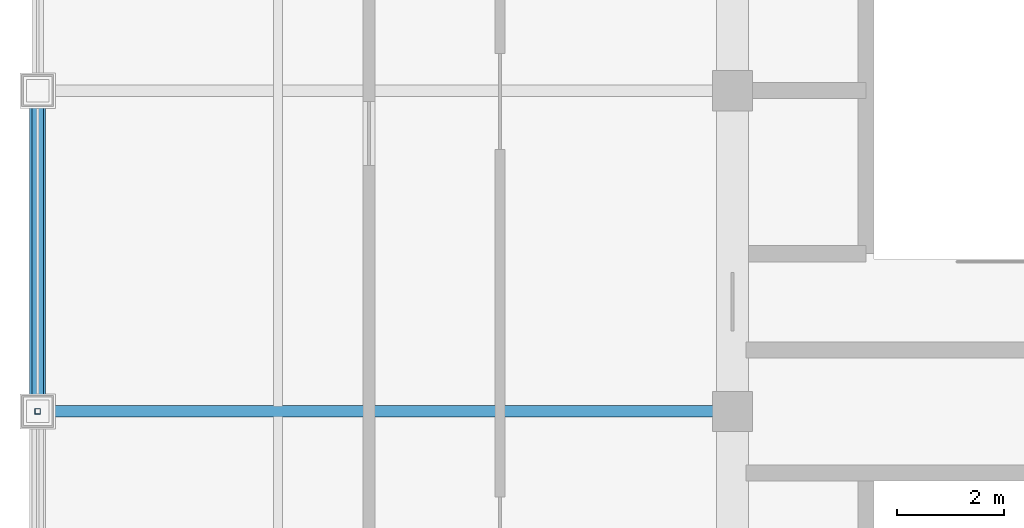
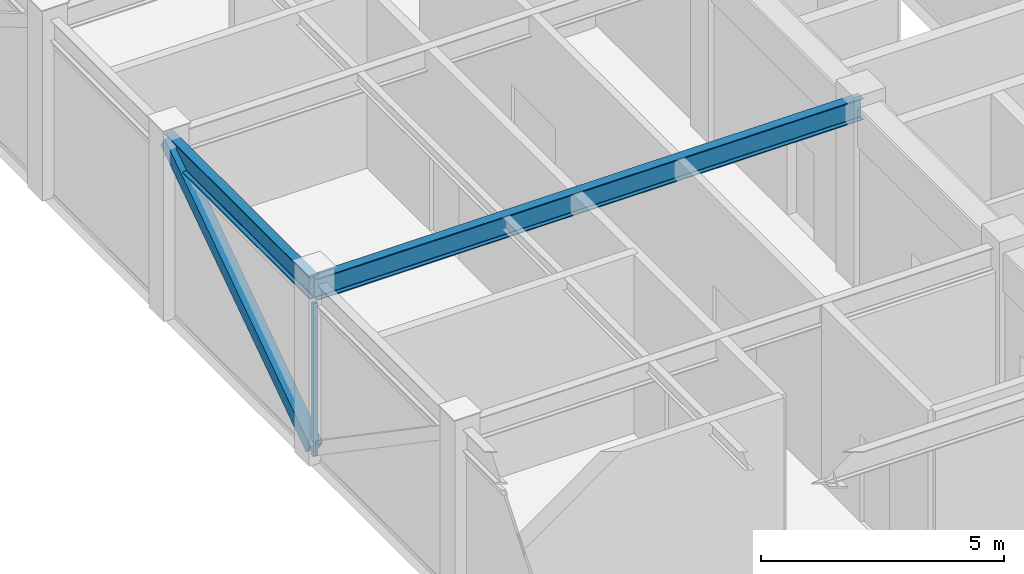
# One storey, part 6 of 27: 2 beams, 2 members, 1 element without a shape of its own.
"""IFC4 building model written with IfcOpenShell, lengths in metres."""

import ifcopenshell
import ifcopenshell.guid

model = None  # the IFC model being written
_history = None  # IfcOwnerHistory: only IFC2X3 demands one
_inside = {}  # id of a spatial element -> (the spatial element, [elements in it])
_under = {}  # id of a project, library or spatial element -> (it, [spatial elements below it])
_declared = {}  # id of a project -> (the project, [libraries it declares])
_typed = {}  # id of a type object -> (the type object, [elements of that type])
_made_of = {}  # id of a material, layer set ... -> (it, [elements and type objects made of it])


def new_model(schema):
    """Start an empty IFC model of exactly this schema.

    Asked for "IFC4X3", IfcOpenShell would pick the latest addendum, in which some entities
    have other attributes; the version numbers below select the first issue.
    IFC2X3 requires an IfcOwnerHistory on every rooted entity: one is made here for all.
    """
    global model, _history
    if schema == "IFC4X3":
        model = ifcopenshell.file(schema_version=(4, 3, 0, 0))
    else:
        model = ifcopenshell.file(schema=schema)
    _inside.clear()
    _under.clear()
    _declared.clear()
    _typed.clear()
    _made_of.clear()
    _history = None
    if model.schema == "IFC2X3":
        org = make("IfcOrganization", Name="unknown")
        user = make(
            "IfcPersonAndOrganization",
            ThePerson=make("IfcPerson", FamilyName="unknown"),
            TheOrganization=org,
        )
        app = make(
            "IfcApplication",
            ApplicationDeveloper=org,
            Version="unknown",
            ApplicationFullName="unknown",
            ApplicationIdentifier="unknown",
        )
        _history = make(
            "IfcOwnerHistory",
            OwningUser=user,
            OwningApplication=app,
            ChangeAction="ADDED",
            CreationDate=0,
        )
    return model


def make(cls, **values):
    """One entity of the class cls with the attributes given. An attribute that is None is left unset."""
    return model.create_entity(
        cls, **{name: value for name, value in values.items() if value is not None}
    )


def rooted(cls, **values):
    """An entity with a GlobalId (a new one), such as an element, a storey or a relation."""
    return make(cls, GlobalId=ifcopenshell.guid.new(), OwnerHistory=_history, **values)


def si_unit(unit_type, name, prefix=None):
    """IfcSIUnit, for example si_unit("LENGTHUNIT", "METRE", prefix="MILLI")."""
    return make("IfcSIUnit", UnitType=unit_type, Prefix=prefix, Name=name)


def assignment(units):
    """IfcUnitAssignment: the units of a project."""
    return None if units is None else make("IfcUnitAssignment", Units=units)


def point(xyz):
    """IfcCartesianPoint."""
    return None if xyz is None else make("IfcCartesianPoint", Coordinates=xyz)


def direction(xyz):
    """IfcDirection."""
    return None if xyz is None else make("IfcDirection", DirectionRatios=xyz)


def frame(location, z_axis=None, x_axis=None):
    """IfcAxis2Placement3D, a coordinate frame: its origin and axes. An axis left out is left unset."""
    return make(
        "IfcAxis2Placement3D",
        Location=point(location),
        Axis=direction(z_axis),
        RefDirection=direction(x_axis),
    )


def frame_2d(location, x_axis=None):
    """IfcAxis2Placement2D, a coordinate frame in the plane: its origin and x axis."""
    return make(
        "IfcAxis2Placement2D", Location=point(location), RefDirection=direction(x_axis)
    )


def origin():
    """The frame at (0, 0, 0) with its axes left unset."""
    return frame((0.0, 0.0, 0.0))


def origin_2d():
    """The frame at (0, 0) in the plane with its x axis left unset."""
    return frame_2d((0.0, 0.0))


def place(relative_to, where):
    """IfcLocalPlacement: puts the frame where relative to a parent placement (None: the world)."""
    return make(
        "IfcLocalPlacement", PlacementRelTo=relative_to, RelativePlacement=where
    )


def context(
    kind, dimensions, precision=None, world=None, true_north=None, identifier=None
):
    """IfcGeometricRepresentationContext, for example the 3D "Model" context."""
    return make(
        "IfcGeometricRepresentationContext",
        ContextIdentifier=identifier,
        ContextType=kind,
        CoordinateSpaceDimension=dimensions,
        Precision=precision,
        WorldCoordinateSystem=world,
        TrueNorth=true_north,
    )


def subcontext(parent, identifier, kind, view, scale=None):
    """IfcGeometricRepresentationSubContext, for example "Body" below "Model"."""
    return make(
        "IfcGeometricRepresentationSubContext",
        ContextIdentifier=identifier,
        ContextType=kind,
        ParentContext=parent,
        TargetScale=scale,
        TargetView=view,
    )


def project(units=None, contexts=None):
    """IfcProject with its units and contexts."""
    return rooted(
        "IfcProject",
        Name="project",
        RepresentationContexts=contexts,
        UnitsInContext=assignment(units),
    )


def spatial(cls, under=None, at=None, **own):
    """A site, building, storey or space (cls), placed at a placement, below another one or the project."""
    s = rooted(cls, ObjectPlacement=at, **own)
    if under is not None:
        _under.setdefault(under.id(), (under, []))[1].append(s)
    return s


def profile(cls, at=None, kind="AREA", **sizes):
    """A parametric profile (cls). Its sizes go by their IFC names, for example OverallWidth=200.0."""
    return make(cls, ProfileType=kind, Position=at, **sizes)


def hollow_rectangle(**sizes):
    """IfcRectangleHollowProfileDef."""
    return profile("IfcRectangleHollowProfileDef", **sizes)


def i_section(**sizes):
    """IfcIShapeProfileDef."""
    return profile("IfcIShapeProfileDef", **sizes)


def extrude(swept, where, along, depth):
    """IfcExtrudedAreaSolid: the profile swept, set in the frame where, extruded along a direction by depth."""
    return make(
        "IfcExtrudedAreaSolid",
        SweptArea=swept,
        Position=where,
        ExtrudedDirection=direction(along),
        Depth=depth,
    )


def shape(context_of_items, identifier, shape_type, items):
    """IfcShapeRepresentation: the items that make up one representation, for example the "Body"."""
    return make(
        "IfcShapeRepresentation",
        ContextOfItems=context_of_items,
        RepresentationIdentifier=identifier,
        RepresentationType=shape_type,
        Items=items,
    )


def source(mapping_origin, context_of_items, identifier, shape_type, items):
    """IfcRepresentationMap: a shape defined once, which mapped items show again and again."""
    return make(
        "IfcRepresentationMap",
        MappingOrigin=mapping_origin,
        MappedRepresentation=shape(context_of_items, identifier, shape_type, items),
    )


def transform(
    local_origin,
    x_axis=None,
    y_axis=None,
    z_axis=None,
    scale=None,
    scale2=None,
    scale3=None,
    uniform=True,
):
    """IfcCartesianTransformationOperator3D, or its non-uniform kind. x_axis, y_axis, z_axis: its Axis1, 2, 3."""
    if uniform:
        return make(
            "IfcCartesianTransformationOperator3D",
            Axis1=direction(x_axis),
            Axis2=direction(y_axis),
            LocalOrigin=point(local_origin),
            Scale=scale,
            Axis3=direction(z_axis),
        )
    return make(
        "IfcCartesianTransformationOperator3DnonUniform",
        Axis1=direction(x_axis),
        Axis2=direction(y_axis),
        LocalOrigin=point(local_origin),
        Scale=scale,
        Axis3=direction(z_axis),
        Scale2=scale2,
        Scale3=scale3,
    )


def mapped(mapping_source, mapping_target):
    """IfcMappedItem: shows the shape of a source again, moved by a transform."""
    return make(
        "IfcMappedItem", MappingSource=mapping_source, MappingTarget=mapping_target
    )


def material(Name=None, Category=None):
    """IfcMaterial."""
    return make("IfcMaterial", Name=Name, Category=Category)


def material_profile(
    of_material, cross_section, Name=None, Category=None, Priority=None
):
    """IfcMaterialProfile: a cross section and its material."""
    return make(
        "IfcMaterialProfile",
        Name=Name,
        Material=of_material,
        Profile=cross_section,
        Priority=Priority,
        Category=Category,
    )


def profile_set(profiles, Name=None, composite=None):
    """IfcMaterialProfileSet."""
    return make(
        "IfcMaterialProfileSet",
        Name=Name,
        MaterialProfiles=profiles,
        CompositeProfile=composite,
    )


def made_of(thing, what):
    """Note that an element or type object is made of a material, layer set ...; save() writes the relation."""
    if what is not None:
        _made_of.setdefault(what.id(), (what, []))[1].append(thing)
    return thing


def type_object(cls, material=None, **own):
    """A type object (cls), such as IfcWallType, which elements share."""
    return made_of(rooted(cls, **own), material)


def element(
    cls,
    number,
    at=None,
    inside=None,
    cuts=None,
    type_object=None,
    material=None,
    context=None,
    identifier="Body",
    shape_type=None,
    held_by="IfcProductDefinitionShape",
    body=None,
    shapes=None,
    **own,
):
    """One element of the class cls, such as IfcWall. Its Tag is "e" and its number.

    at: its placement. inside: the storey or other place that contains it. cuts: it is an
    opening in that element (IfcRelVoidsElement). A single representation is given by context,
    identifier, shape_type and body (its items); several are given by shapes. held_by: the class
    of the entity that holds the representations. save() writes the other relations.
    """
    e = rooted(cls, Tag="e%d" % number, ObjectPlacement=at, **own)
    if body is not None:
        shapes = [shape(context, identifier, shape_type, body)]
    if shapes is not None:
        e.Representation = make(held_by, Representations=shapes)
    if inside is not None:
        _inside.setdefault(inside.id(), (inside, []))[1].append(e)
    if cuts is not None:
        rooted(
            "IfcRelVoidsElement", RelatingBuildingElement=cuts, RelatedOpeningElement=e
        )
    if type_object is not None:
        _typed.setdefault(type_object.id(), (type_object, []))[1].append(e)
    return made_of(e, material)


def aggregate(whole, parts):
    """IfcRelAggregates: a whole, such as a stair, and the parts it consists of."""
    return rooted("IfcRelAggregates", RelatingObject=whole, RelatedObjects=parts)


def save(model, path):
    """Write the relations noted so far, then the file.

    IfcRelAggregates (storeys below a building ...), IfcRelContainedInSpatialStructure (elements
    in a storey), IfcRelDefinesByType, IfcRelAssociatesMaterial and IfcRelDeclares: one each for
    every whole, place, type object, material and project.
    """
    for whole, parts in _under.values():
        aggregate(whole, parts)
    for where, things in _inside.values():
        rooted(
            "IfcRelContainedInSpatialStructure",
            RelatedElements=things,
            RelatingStructure=where,
        )
    for kind, things in _typed.values():
        rooted("IfcRelDefinesByType", RelatedObjects=things, RelatingType=kind)
    for what, things in _made_of.values():
        rooted("IfcRelAssociatesMaterial", RelatedObjects=things, RelatingMaterial=what)
    for by, libraries in _declared.values():
        rooted("IfcRelDeclares", RelatingContext=by, RelatedDefinitions=libraries)
    model.write(path)


model = new_model("IFC4")

# Units and contexts
model_context = context("Model", 3, precision=1e-05, world=origin(), true_north=direction((0.0, 1.0)))
body_context = subcontext(model_context, "Body", "Model", "MODEL_VIEW")
ifc_project = project(units=[si_unit("LENGTHUNIT", "METRE"), si_unit("AREAUNIT", "SQUARE_METRE"), si_unit("VOLUMEUNIT", "CUBIC_METRE"), si_unit("PLANEANGLEUNIT", "RADIAN"), si_unit("MASSUNIT", "GRAM", prefix="KILO")], contexts=[model_context])

# Site, building, storey
site_placement = place(None, origin())
site = spatial("IfcSite", under=ifc_project, at=site_placement, CompositionType="ELEMENT")
building_placement = place(site_placement, origin())
building = spatial("IfcBuilding", under=site, at=building_placement, Name="Khorayat Bourse Tower", CompositionType="ELEMENT")
storey_placement = place(building_placement, frame((0.0, 0.0, 399.5)))
storey = spatial("IfcBuildingStorey", under=building, at=storey_placement, Name="L94", CompositionType="ELEMENT", Elevation=399.5)

# Beams
ifc_material_1 = material(Name="Steel ASTM A992 Grade 50", Category="steel")
ifc_material_profile_1 = material_profile(ifc_material_1, i_section(OverallWidth=0.214111328125, OverallDepth=0.549072265625, WebThickness=0.0146484375, FlangeThickness=0.023681640625, FilletRadius=0.013916015625, at=origin_2d()), Name="W530X138")
ifc_profile_set_1 = profile_set([ifc_material_profile_1], Name="Steel ASTM A992 Grade 50")
beam_type_1 = type_object("IfcBeamType", Name="BM-SPAN-530", PredefinedType="SPANDREL", material=ifc_profile_set_1)
shared_shape_1 = source(origin(), body_context, "Body", "SweptSolid", [
    extrude(i_section(OverallWidth=0.214111328125, OverallDepth=0.549072265625, WebThickness=0.0146484375, FlangeThickness=0.023681640625, FilletRadius=0.013916015625, at=origin_2d()), origin(), (0.0, 0.0, 1.0), 6.0),
])
beam_1_placement = place(storey_placement, frame((-24.0, 0.0, 4.2255859375), z_axis=(0.0, 1.0, 0.0), x_axis=(-1.0, 0.0, 0.0)))
element("IfcBeam", 1, at=beam_1_placement, inside=storey, type_object=beam_type_1, Name="L94 BM-SPAN-530 BM-L94-SPN-050", PredefinedType="SPANDREL", context=body_context, shape_type="MappedRepresentation", body=[
    mapped(shared_shape_1, transform((0.0, 0.0, 0.0), scale=1.0)),
])
ifc_material_profile_2 = material_profile(ifc_material_1, i_section(OverallWidth=0.214111328125, OverallDepth=0.549072265625, WebThickness=0.0146484375, FlangeThickness=0.023681640625, FilletRadius=0.013916015625, at=origin_2d()), Name="W530X138")
ifc_profile_set_2 = profile_set([ifc_material_profile_2], Name="Steel ASTM A992 Grade 50")
beam_type_2 = type_object("IfcBeamType", Name="BM-GIRD-530", PredefinedType="BEAM", material=ifc_profile_set_2)
shared_shape_2 = source(origin(), body_context, "Body", "SweptSolid", [
    extrude(i_section(OverallWidth=0.214111328125, OverallDepth=0.549072265625, WebThickness=0.0146484375, FlangeThickness=0.023681640625, FilletRadius=0.013916015625, at=origin_2d()), origin(), (0.0, 0.0, 1.0), 13.0),
])
beam_2_placement = place(storey_placement, frame((-24.0, 0.0, 4.2255859375), z_axis=(1.0, 0.0, 0.0), x_axis=(0.0, 1.0, 0.0)))
element("IfcBeam", 2, at=beam_2_placement, inside=storey, type_object=beam_type_2, Name="L94 BM-GIRD-530 BM-L94-RADX-071", PredefinedType="BEAM", context=body_context, shape_type="MappedRepresentation", body=[
    mapped(shared_shape_2, transform((0.0, 0.0, 0.0), scale=1.0)),
])

# Member
ifc_material_2 = material(Name="Steel EN 10025-2 S355J2", Category="steel")
ifc_material_profile_3 = material_profile(ifc_material_2, hollow_rectangle(XDim=0.300048828125, YDim=0.300048828125, WallThickness=0.01611328125, at=origin_2d()), Name="HSS 300x300x16")
ifc_profile_set_3 = profile_set([ifc_material_profile_3], Name="Steel EN 10025-2 S355J2")
member_type_1 = type_object("IfcMemberType", Name="MBR-CROWN-300", PredefinedType="USERDEFINED", material=ifc_profile_set_3)
shared_shape_3 = source(origin(), body_context, "Body", "SweptSolid", [
    extrude(hollow_rectangle(XDim=0.300048828125, YDim=0.300048828125, WallThickness=0.01611328125, at=origin_2d()), origin(), (0.0, 0.0, 1.0), 7.26708984375),
])
member_1_placement = place(storey_placement, frame((-24.0, 0.0, 0.199951171875), z_axis=(0.0, 0.825638381691, 0.564199665614), x_axis=(-1.0, 0.0, 0.0)))
element("IfcMember", 3, at=member_1_placement, inside=storey, type_object=member_type_1, Name="L94 Lantern Crown Frame Member 11", ObjectType="CROWN FRAME", PredefinedType="USERDEFINED", context=body_context, shape_type="MappedRepresentation", body=[
    mapped(shared_shape_3, transform((0.0, 0.0, 0.0), scale=1.0)),
])

# Curtain wall, member
ifc_material_3 = material(Name="Aluminium EN AW-6063 T6", Category="aluminium")
curtain_wall_type = type_object("IfcCurtainWallType", Name="CW-SYS-07", PredefinedType="NOTDEFINED", material=ifc_material_3)
curtain_wall_placement = place(storey_placement, origin())
curtain_wall = element("IfcCurtainWall", 4, at=curtain_wall_placement, inside=storey, type_object=curtain_wall_type, Name="L94 Curtain Wall CW-L94-W1", PredefinedType="NOTDEFINED")
ifc_material_profile_4 = material_profile(ifc_material_3, hollow_rectangle(XDim=0.10009765625, YDim=0.10009765625, WallThickness=0.0048828125, at=origin_2d()), Name="ALU 100x100x5")
ifc_profile_set_4 = profile_set([ifc_material_profile_4], Name="Aluminium EN AW-6063 T6")
member_type_2 = type_object("IfcMemberType", Name="CWM-LANTERN-100", PredefinedType="MULLION", material=ifc_profile_set_4)
shared_shape_4 = source(origin(), body_context, "Body", "SweptSolid", [
    extrude(hollow_rectangle(XDim=0.10009765625, YDim=0.10009765625, WallThickness=0.0048828125, at=origin_2d()), origin(), (0.0, 0.0, 1.0), 3.85009765625),
])
member_2_placement = place(storey_placement, frame((-24.0, 0.0, 0.0), z_axis=(0.0, 0.0, 1.0), x_axis=(-1.0, 0.0, 0.0)))
member_2 = element("IfcMember", 5, at=member_2_placement, type_object=member_type_2, Name="CW-L94-W1 Vertical Mullion 2", PredefinedType="MULLION", context=body_context, shape_type="MappedRepresentation", body=[
    mapped(shared_shape_4, transform((0.0, 0.0, 0.0), scale=1.0)),
])
aggregate(curtain_wall, [member_2])

save(model, "model.ifc")
